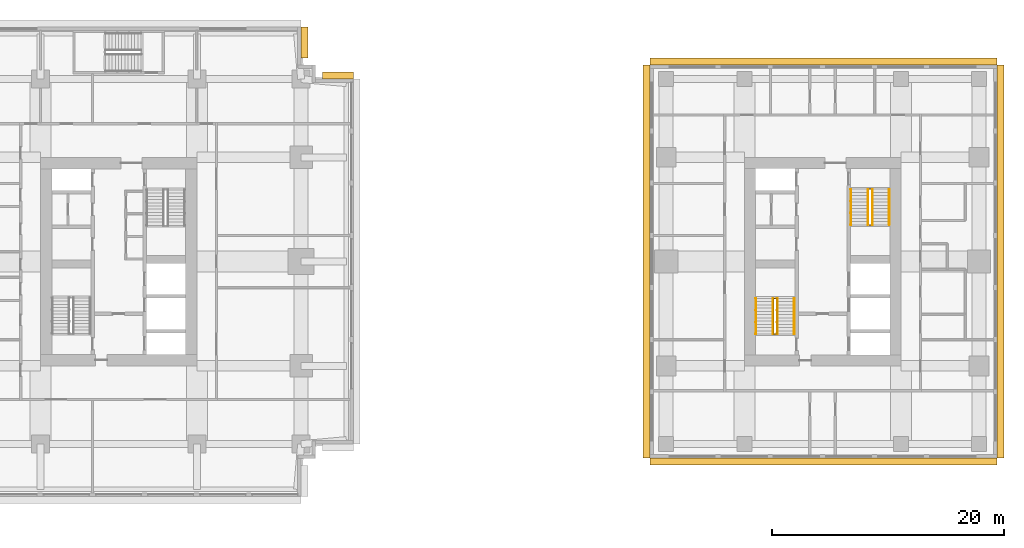
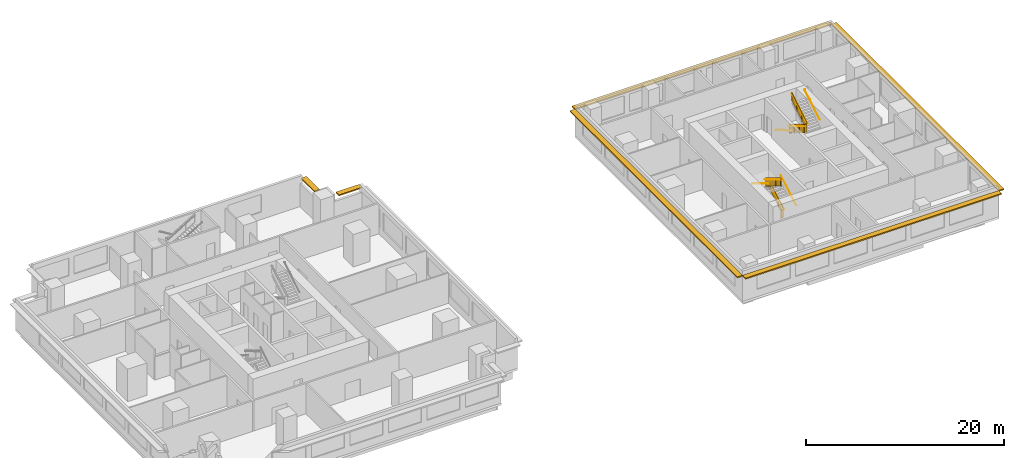
# One storey, part 11 of 11: 10 railings, 6 shading devices.
"""IFC4 building model written with IfcOpenShell, lengths in metres."""

import ifcopenshell
import ifcopenshell.guid

model = None  # the IFC model being written
_history = None  # IfcOwnerHistory: only IFC2X3 demands one
_inside = {}  # id of a spatial element -> (the spatial element, [elements in it])
_under = {}  # id of a project, library or spatial element -> (it, [spatial elements below it])
_declared = {}  # id of a project -> (the project, [libraries it declares])
_typed = {}  # id of a type object -> (the type object, [elements of that type])
_made_of = {}  # id of a material, layer set ... -> (it, [elements and type objects made of it])


def new_model(schema):
    """Start an empty IFC model of exactly this schema.

    Asked for "IFC4X3", IfcOpenShell would pick the latest addendum, in which some entities
    have other attributes; the version numbers below select the first issue.
    IFC2X3 requires an IfcOwnerHistory on every rooted entity: one is made here for all.
    """
    global model, _history
    if schema == "IFC4X3":
        model = ifcopenshell.file(schema_version=(4, 3, 0, 0))
    else:
        model = ifcopenshell.file(schema=schema)
    _inside.clear()
    _under.clear()
    _declared.clear()
    _typed.clear()
    _made_of.clear()
    _history = None
    if model.schema == "IFC2X3":
        org = make("IfcOrganization", Name="unknown")
        user = make(
            "IfcPersonAndOrganization",
            ThePerson=make("IfcPerson", FamilyName="unknown"),
            TheOrganization=org,
        )
        app = make(
            "IfcApplication",
            ApplicationDeveloper=org,
            Version="unknown",
            ApplicationFullName="unknown",
            ApplicationIdentifier="unknown",
        )
        _history = make(
            "IfcOwnerHistory",
            OwningUser=user,
            OwningApplication=app,
            ChangeAction="ADDED",
            CreationDate=0,
        )
    return model


def make(cls, **values):
    """One entity of the class cls with the attributes given. An attribute that is None is left unset."""
    return model.create_entity(
        cls, **{name: value for name, value in values.items() if value is not None}
    )


def rooted(cls, **values):
    """An entity with a GlobalId (a new one), such as an element, a storey or a relation."""
    return make(cls, GlobalId=ifcopenshell.guid.new(), OwnerHistory=_history, **values)


def si_unit(unit_type, name, prefix=None):
    """IfcSIUnit, for example si_unit("LENGTHUNIT", "METRE", prefix="MILLI")."""
    return make("IfcSIUnit", UnitType=unit_type, Prefix=prefix, Name=name)


def assignment(units):
    """IfcUnitAssignment: the units of a project."""
    return None if units is None else make("IfcUnitAssignment", Units=units)


def point(xyz):
    """IfcCartesianPoint."""
    return None if xyz is None else make("IfcCartesianPoint", Coordinates=xyz)


def direction(xyz):
    """IfcDirection."""
    return None if xyz is None else make("IfcDirection", DirectionRatios=xyz)


def frame(location, z_axis=None, x_axis=None):
    """IfcAxis2Placement3D, a coordinate frame: its origin and axes. An axis left out is left unset."""
    return make(
        "IfcAxis2Placement3D",
        Location=point(location),
        Axis=direction(z_axis),
        RefDirection=direction(x_axis),
    )


def frame_2d(location, x_axis=None):
    """IfcAxis2Placement2D, a coordinate frame in the plane: its origin and x axis."""
    return make(
        "IfcAxis2Placement2D", Location=point(location), RefDirection=direction(x_axis)
    )


def origin():
    """The frame at (0, 0, 0) with its axes left unset."""
    return frame((0.0, 0.0, 0.0))


def origin_2d():
    """The frame at (0, 0) in the plane with its x axis left unset."""
    return frame_2d((0.0, 0.0))


def place(relative_to, where):
    """IfcLocalPlacement: puts the frame where relative to a parent placement (None: the world)."""
    return make(
        "IfcLocalPlacement", PlacementRelTo=relative_to, RelativePlacement=where
    )


def context(
    kind, dimensions, precision=None, world=None, true_north=None, identifier=None
):
    """IfcGeometricRepresentationContext, for example the 3D "Model" context."""
    return make(
        "IfcGeometricRepresentationContext",
        ContextIdentifier=identifier,
        ContextType=kind,
        CoordinateSpaceDimension=dimensions,
        Precision=precision,
        WorldCoordinateSystem=world,
        TrueNorth=true_north,
    )


def subcontext(parent, identifier, kind, view, scale=None):
    """IfcGeometricRepresentationSubContext, for example "Body" below "Model"."""
    return make(
        "IfcGeometricRepresentationSubContext",
        ContextIdentifier=identifier,
        ContextType=kind,
        ParentContext=parent,
        TargetScale=scale,
        TargetView=view,
    )


def project(units=None, contexts=None):
    """IfcProject with its units and contexts."""
    return rooted(
        "IfcProject",
        Name="project",
        RepresentationContexts=contexts,
        UnitsInContext=assignment(units),
    )


def spatial(cls, under=None, at=None, **own):
    """A site, building, storey or space (cls), placed at a placement, below another one or the project."""
    s = rooted(cls, ObjectPlacement=at, **own)
    if under is not None:
        _under.setdefault(under.id(), (under, []))[1].append(s)
    return s


def polyline(points):
    """IfcPolyline through the points."""
    return make("IfcPolyline", Points=[point(p) for p in points])


def profile(cls, at=None, kind="AREA", **sizes):
    """A parametric profile (cls). Its sizes go by their IFC names, for example OverallWidth=200.0."""
    return make(cls, ProfileType=kind, Position=at, **sizes)


def rectangle(**sizes):
    """IfcRectangleProfileDef."""
    return profile("IfcRectangleProfileDef", **sizes)


def circle(**sizes):
    """IfcCircleProfileDef."""
    return profile("IfcCircleProfileDef", **sizes)


def outline(outer, holes=None, kind="AREA"):
    """IfcArbitraryClosedProfileDef: a profile drawn as a closed curve; with holes, ...WithVoids."""
    if holes is None:
        return make("IfcArbitraryClosedProfileDef", ProfileType=kind, OuterCurve=outer)
    return make(
        "IfcArbitraryProfileDefWithVoids",
        ProfileType=kind,
        OuterCurve=outer,
        InnerCurves=holes,
    )


def extrude(swept, where, along, depth):
    """IfcExtrudedAreaSolid: the profile swept, set in the frame where, extruded along a direction by depth."""
    return make(
        "IfcExtrudedAreaSolid",
        SweptArea=swept,
        Position=where,
        ExtrudedDirection=direction(along),
        Depth=depth,
    )


def shape(context_of_items, identifier, shape_type, items):
    """IfcShapeRepresentation: the items that make up one representation, for example the "Body"."""
    return make(
        "IfcShapeRepresentation",
        ContextOfItems=context_of_items,
        RepresentationIdentifier=identifier,
        RepresentationType=shape_type,
        Items=items,
    )


def material(Name=None, Category=None):
    """IfcMaterial."""
    return make("IfcMaterial", Name=Name, Category=Category)


def layer(
    of_material, thickness, ventilated=None, Name=None, Category=None, Priority=None
):
    """IfcMaterialLayer: one layer of a wall or slab, of a material (None: an air gap)."""
    return make(
        "IfcMaterialLayer",
        Material=of_material,
        LayerThickness=thickness,
        IsVentilated=ventilated,
        Name=Name,
        Category=Category,
        Priority=Priority,
    )


def layer_set(layers, Name=None):
    """IfcMaterialLayerSet."""
    return make("IfcMaterialLayerSet", MaterialLayers=layers, LayerSetName=Name)


def made_of(thing, what):
    """Note that an element or type object is made of a material, layer set ...; save() writes the relation."""
    if what is not None:
        _made_of.setdefault(what.id(), (what, []))[1].append(thing)
    return thing


def type_object(cls, material=None, **own):
    """A type object (cls), such as IfcWallType, which elements share."""
    return made_of(rooted(cls, **own), material)


def element(
    cls,
    number,
    at=None,
    inside=None,
    cuts=None,
    type_object=None,
    material=None,
    context=None,
    identifier="Body",
    shape_type=None,
    held_by="IfcProductDefinitionShape",
    body=None,
    shapes=None,
    **own,
):
    """One element of the class cls, such as IfcWall. Its Tag is "e" and its number.

    at: its placement. inside: the storey or other place that contains it. cuts: it is an
    opening in that element (IfcRelVoidsElement). A single representation is given by context,
    identifier, shape_type and body (its items); several are given by shapes. held_by: the class
    of the entity that holds the representations. save() writes the other relations.
    """
    e = rooted(cls, Tag="e%d" % number, ObjectPlacement=at, **own)
    if body is not None:
        shapes = [shape(context, identifier, shape_type, body)]
    if shapes is not None:
        e.Representation = make(held_by, Representations=shapes)
    if inside is not None:
        _inside.setdefault(inside.id(), (inside, []))[1].append(e)
    if cuts is not None:
        rooted(
            "IfcRelVoidsElement", RelatingBuildingElement=cuts, RelatedOpeningElement=e
        )
    if type_object is not None:
        _typed.setdefault(type_object.id(), (type_object, []))[1].append(e)
    return made_of(e, material)


def aggregate(whole, parts):
    """IfcRelAggregates: a whole, such as a stair, and the parts it consists of."""
    return rooted("IfcRelAggregates", RelatingObject=whole, RelatedObjects=parts)


def save(model, path):
    """Write the relations noted so far, then the file.

    IfcRelAggregates (storeys below a building ...), IfcRelContainedInSpatialStructure (elements
    in a storey), IfcRelDefinesByType, IfcRelAssociatesMaterial and IfcRelDeclares: one each for
    every whole, place, type object, material and project.
    """
    for whole, parts in _under.values():
        aggregate(whole, parts)
    for where, things in _inside.values():
        rooted(
            "IfcRelContainedInSpatialStructure",
            RelatedElements=things,
            RelatingStructure=where,
        )
    for kind, things in _typed.values():
        rooted("IfcRelDefinesByType", RelatedObjects=things, RelatingType=kind)
    for what, things in _made_of.values():
        rooted("IfcRelAssociatesMaterial", RelatedObjects=things, RelatingMaterial=what)
    for by, libraries in _declared.values():
        rooted("IfcRelDeclares", RelatingContext=by, RelatedDefinitions=libraries)
    model.write(path)


model = new_model("IFC4")

# Units and contexts
model_context = context("Model", 3, precision=1e-05, world=origin(), true_north=direction((0.0, 1.0)))
body_context = subcontext(model_context, "Body", "Model", "MODEL_VIEW")
ifc_project = project(units=[si_unit("LENGTHUNIT", "METRE"), si_unit("AREAUNIT", "SQUARE_METRE"), si_unit("VOLUMEUNIT", "CUBIC_METRE"), si_unit("PLANEANGLEUNIT", "RADIAN"), si_unit("MASSUNIT", "GRAM", prefix="KILO")], contexts=[model_context])

# Site, building, storey
site_placement = place(None, origin())
site = spatial("IfcSite", under=ifc_project, at=site_placement, CompositionType="ELEMENT")
building_placement = place(site_placement, origin())
building = spatial("IfcBuilding", under=site, at=building_placement, Name="Namib Vertical Campus", CompositionType="ELEMENT")
storey_placement = place(building_placement, frame((0.0, 0.0, 217.0)))
storey = spatial("IfcBuildingStorey", under=building, at=storey_placement, Name="L51", CompositionType="ELEMENT", Elevation=217.0)

# Railings
ifc_material_1 = material(Name="Steel handrail", Category="steel")
railing_type_1 = type_object("IfcRailingType", Name="Handrail 900", PredefinedType="HANDRAIL", material=ifc_material_1)
railing_1_placement = place(storey_placement, frame((78.550048828125, 14.0, 0.166748046875)))
element("IfcRailing", 1, at=railing_1_placement, inside=storey, type_object=railing_type_1, Name="Handrail HR1 B-S1 L51 1", PredefinedType="HANDRAIL", context=body_context, shape_type="SweptSolid", body=[
    extrude(circle(Radius=0.02392578125, at=origin_2d()), frame((0.0, 0.0, 0.8759765625), z_axis=(0.0, 0.859308565015, 0.511457515432), x_axis=(-1.0, 0.0, 0.0)), (0.0, 0.0, 1.0), 3.58447265625),
    extrude(circle(Radius=0.008056640625, at=origin_2d()), frame((0.0, 0.0, 0.8759765625), z_axis=(1.0, 0.0, 0.0), x_axis=(0.0, 0.0, 1.0)), (0.0, 0.0, 1.0), 0.050048828125),
    extrude(circle(Radius=0.008056640625, at=origin_2d()), frame((0.0, 1.026611328125, 1.48681640625), z_axis=(1.0, 0.0, 0.0), x_axis=(0.0, 0.0, 1.0)), (0.0, 0.0, 1.0), 0.050048828125),
    extrude(circle(Radius=0.008056640625, at=origin_2d()), frame((0.0, 2.053466796875, 2.09814453125), z_axis=(1.0, 0.0, 0.0), x_axis=(0.0, 0.0, 1.0)), (0.0, 0.0, 1.0), 0.050048828125),
    extrude(circle(Radius=0.008056640625, at=origin_2d()), frame((0.0, 3.080078125, 2.708984375), z_axis=(1.0, 0.0, 0.0), x_axis=(0.0, 0.0, 1.0)), (0.0, 0.0, 1.0), 0.050048828125),
])
railing_2_placement = place(storey_placement, frame((75.25, 17.080078125, 2.166748046875)))
element("IfcRailing", 2, at=railing_2_placement, inside=storey, type_object=railing_type_1, Name="Handrail HR1 B-S1 L51 2", PredefinedType="HANDRAIL", context=body_context, shape_type="SweptSolid", body=[
    extrude(circle(Radius=0.02392578125, at=origin_2d()), frame((0.0, 0.0, 0.8759765625), z_axis=(0.0, -0.859308565015, 0.511457515432), x_axis=(1.0, 0.0, 0.0)), (0.0, 0.0, 1.0), 3.58447265625),
    extrude(circle(Radius=0.008056640625, at=origin_2d()), frame((0.0, 0.0, 0.8759765625), z_axis=(-1.0, 0.0, 0.0), x_axis=(0.0, 0.0, 1.0)), (0.0, 0.0, 1.0), 0.050048828125),
    extrude(circle(Radius=0.008056640625, at=origin_2d()), frame((0.0, -1.026611328125, 1.48681640625), z_axis=(-1.0, 0.0, 0.0), x_axis=(0.0, 0.0, 1.0)), (0.0, 0.0, 1.0), 0.050048828125),
    extrude(circle(Radius=0.008056640625, at=origin_2d()), frame((0.0, -2.053466796875, 2.09814453125), z_axis=(-1.0, 0.0, 0.0), x_axis=(0.0, 0.0, 1.0)), (0.0, 0.0, 1.0), 0.050048828125),
    extrude(circle(Radius=0.008056640625, at=origin_2d()), frame((0.0, -3.080078125, 2.708984375), z_axis=(-1.0, 0.0, 0.0), x_axis=(0.0, 0.0, 1.0)), (0.0, 0.0, 1.0), 0.050048828125),
])
railing_3_placement = place(storey_placement, frame((77.10009765625, 14.0, 0.166748046875)))
element("IfcRailing", 3, at=railing_3_placement, inside=storey, type_object=railing_type_1, Name="Handrail HR1 B-S1 L51 1 at the well", PredefinedType="HANDRAIL", context=body_context, shape_type="SweptSolid", body=[
    extrude(circle(Radius=0.02392578125, at=origin_2d()), frame((0.0, 0.0, 0.8759765625), z_axis=(0.0, 0.859308565015, 0.511457515432), x_axis=(-1.0, 0.0, 0.0)), (0.0, 0.0, 1.0), 3.58447265625),
    extrude(circle(Radius=0.008056640625, at=origin_2d()), frame((0.0, 0.0, 0.8759765625), z_axis=(-1.0, 0.0, 0.0), x_axis=(0.0, 0.0, 1.0)), (0.0, 0.0, 1.0), 0.0400390625),
    extrude(circle(Radius=0.008056640625, at=origin_2d()), frame((0.0, 1.026611328125, 1.48681640625), z_axis=(-1.0, 0.0, 0.0), x_axis=(0.0, 0.0, 1.0)), (0.0, 0.0, 1.0), 0.0400390625),
    extrude(circle(Radius=0.008056640625, at=origin_2d()), frame((0.0, 2.053466796875, 2.09814453125), z_axis=(-1.0, 0.0, 0.0), x_axis=(0.0, 0.0, 1.0)), (0.0, 0.0, 1.0), 0.0400390625),
    extrude(circle(Radius=0.008056640625, at=origin_2d()), frame((0.0, 3.080078125, 2.708984375), z_axis=(-1.0, 0.0, 0.0), x_axis=(0.0, 0.0, 1.0)), (0.0, 0.0, 1.0), 0.0400390625),
])
railing_4_placement = place(storey_placement, frame((76.699951171875, 17.080078125, 2.166748046875)))
element("IfcRailing", 4, at=railing_4_placement, inside=storey, type_object=railing_type_1, Name="Handrail HR1 B-S1 L51 2 at the well", PredefinedType="HANDRAIL", context=body_context, shape_type="SweptSolid", body=[
    extrude(circle(Radius=0.02392578125, at=origin_2d()), frame((0.0, 0.0, 0.8759765625), z_axis=(0.0, -0.859308565015, 0.511457515432), x_axis=(1.0, 0.0, 0.0)), (0.0, 0.0, 1.0), 3.58447265625),
    extrude(circle(Radius=0.008056640625, at=origin_2d()), frame((0.0, 0.0, 0.8759765625), z_axis=(1.0, 0.0, 0.0), x_axis=(0.0, 0.0, 1.0)), (0.0, 0.0, 1.0), 0.0400390625),
    extrude(circle(Radius=0.008056640625, at=origin_2d()), frame((0.0, -1.026611328125, 1.48681640625), z_axis=(1.0, 0.0, 0.0), x_axis=(0.0, 0.0, 1.0)), (0.0, 0.0, 1.0), 0.0400390625),
    extrude(circle(Radius=0.008056640625, at=origin_2d()), frame((0.0, -2.053466796875, 2.09814453125), z_axis=(1.0, 0.0, 0.0), x_axis=(0.0, 0.0, 1.0)), (0.0, 0.0, 1.0), 0.0400390625),
    extrude(circle(Radius=0.008056640625, at=origin_2d()), frame((0.0, -3.080078125, 2.708984375), z_axis=(1.0, 0.0, 0.0), x_axis=(0.0, 0.0, 1.0)), (0.0, 0.0, 1.0), 0.0400390625),
])
railing_5_placement = place(storey_placement, frame((83.449951171875, 26.5, 0.166748046875)))
element("IfcRailing", 5, at=railing_5_placement, inside=storey, type_object=railing_type_1, Name="Handrail HR1 B-S2 L51 1", PredefinedType="HANDRAIL", context=body_context, shape_type="SweptSolid", body=[
    extrude(circle(Radius=0.02392578125, at=origin_2d()), frame((0.0, 0.0, 0.8759765625), z_axis=(0.0, -0.859308565015, 0.511457515432), x_axis=(1.0, 0.0, 0.0)), (0.0, 0.0, 1.0), 3.58447265625),
    extrude(circle(Radius=0.008056640625, at=origin_2d()), frame((0.0, 0.0, 0.8759765625), z_axis=(-1.0, 0.0, 0.0), x_axis=(0.0, 0.0, 1.0)), (0.0, 0.0, 1.0), 0.050048828125),
    extrude(circle(Radius=0.008056640625, at=origin_2d()), frame((0.0, -1.026611328125, 1.48681640625), z_axis=(-1.0, 0.0, 0.0), x_axis=(0.0, 0.0, 1.0)), (0.0, 0.0, 1.0), 0.050048828125),
    extrude(circle(Radius=0.008056640625, at=origin_2d()), frame((0.0, -2.053466796875, 2.09814453125), z_axis=(-1.0, 0.0, 0.0), x_axis=(0.0, 0.0, 1.0)), (0.0, 0.0, 1.0), 0.050048828125),
    extrude(circle(Radius=0.008056640625, at=origin_2d()), frame((0.0, -3.080078125, 2.708984375), z_axis=(-1.0, 0.0, 0.0), x_axis=(0.0, 0.0, 1.0)), (0.0, 0.0, 1.0), 0.050048828125),
])
railing_6_placement = place(storey_placement, frame((86.75, 23.419921875, 2.166748046875)))
element("IfcRailing", 6, at=railing_6_placement, inside=storey, type_object=railing_type_1, Name="Handrail HR1 B-S2 L51 2", PredefinedType="HANDRAIL", context=body_context, shape_type="SweptSolid", body=[
    extrude(circle(Radius=0.02392578125, at=origin_2d()), frame((0.0, 0.0, 0.8759765625), z_axis=(0.0, 0.859308565015, 0.511457515432), x_axis=(-1.0, 0.0, 0.0)), (0.0, 0.0, 1.0), 3.58447265625),
    extrude(circle(Radius=0.008056640625, at=origin_2d()), frame((0.0, 0.0, 0.8759765625), z_axis=(1.0, 0.0, 0.0), x_axis=(0.0, 0.0, 1.0)), (0.0, 0.0, 1.0), 0.050048828125),
    extrude(circle(Radius=0.008056640625, at=origin_2d()), frame((0.0, 1.026611328125, 1.48681640625), z_axis=(1.0, 0.0, 0.0), x_axis=(0.0, 0.0, 1.0)), (0.0, 0.0, 1.0), 0.050048828125),
    extrude(circle(Radius=0.008056640625, at=origin_2d()), frame((0.0, 2.053466796875, 2.09814453125), z_axis=(1.0, 0.0, 0.0), x_axis=(0.0, 0.0, 1.0)), (0.0, 0.0, 1.0), 0.050048828125),
    extrude(circle(Radius=0.008056640625, at=origin_2d()), frame((0.0, 3.080078125, 2.708984375), z_axis=(1.0, 0.0, 0.0), x_axis=(0.0, 0.0, 1.0)), (0.0, 0.0, 1.0), 0.050048828125),
])
railing_7_placement = place(storey_placement, frame((84.89990234375, 26.5, 0.166748046875)))
element("IfcRailing", 7, at=railing_7_placement, inside=storey, type_object=railing_type_1, Name="Handrail HR1 B-S2 L51 1 at the well", PredefinedType="HANDRAIL", context=body_context, shape_type="SweptSolid", body=[
    extrude(circle(Radius=0.02392578125, at=origin_2d()), frame((0.0, 0.0, 0.8759765625), z_axis=(0.0, -0.859308565015, 0.511457515432), x_axis=(1.0, 0.0, 0.0)), (0.0, 0.0, 1.0), 3.58447265625),
    extrude(circle(Radius=0.008056640625, at=origin_2d()), frame((0.0, 0.0, 0.8759765625), z_axis=(1.0, 0.0, 0.0), x_axis=(0.0, 0.0, 1.0)), (0.0, 0.0, 1.0), 0.0400390625),
    extrude(circle(Radius=0.008056640625, at=origin_2d()), frame((0.0, -1.026611328125, 1.48681640625), z_axis=(1.0, 0.0, 0.0), x_axis=(0.0, 0.0, 1.0)), (0.0, 0.0, 1.0), 0.0400390625),
    extrude(circle(Radius=0.008056640625, at=origin_2d()), frame((0.0, -2.053466796875, 2.09814453125), z_axis=(1.0, 0.0, 0.0), x_axis=(0.0, 0.0, 1.0)), (0.0, 0.0, 1.0), 0.0400390625),
    extrude(circle(Radius=0.008056640625, at=origin_2d()), frame((0.0, -3.080078125, 2.708984375), z_axis=(1.0, 0.0, 0.0), x_axis=(0.0, 0.0, 1.0)), (0.0, 0.0, 1.0), 0.0400390625),
])
railing_8_placement = place(storey_placement, frame((85.300048828125, 23.419921875, 2.166748046875)))
element("IfcRailing", 8, at=railing_8_placement, inside=storey, type_object=railing_type_1, Name="Handrail HR1 B-S2 L51 2 at the well", PredefinedType="HANDRAIL", context=body_context, shape_type="SweptSolid", body=[
    extrude(circle(Radius=0.02392578125, at=origin_2d()), frame((0.0, 0.0, 0.8759765625), z_axis=(0.0, 0.859308565015, 0.511457515432), x_axis=(-1.0, 0.0, 0.0)), (0.0, 0.0, 1.0), 3.58447265625),
    extrude(circle(Radius=0.008056640625, at=origin_2d()), frame((0.0, 0.0, 0.8759765625), z_axis=(-1.0, 0.0, 0.0), x_axis=(0.0, 0.0, 1.0)), (0.0, 0.0, 1.0), 0.0400390625),
    extrude(circle(Radius=0.008056640625, at=origin_2d()), frame((0.0, 1.026611328125, 1.48681640625), z_axis=(-1.0, 0.0, 0.0), x_axis=(0.0, 0.0, 1.0)), (0.0, 0.0, 1.0), 0.0400390625),
    extrude(circle(Radius=0.008056640625, at=origin_2d()), frame((0.0, 2.053466796875, 2.09814453125), z_axis=(-1.0, 0.0, 0.0), x_axis=(0.0, 0.0, 1.0)), (0.0, 0.0, 1.0), 0.0400390625),
    extrude(circle(Radius=0.008056640625, at=origin_2d()), frame((0.0, 3.080078125, 2.708984375), z_axis=(-1.0, 0.0, 0.0), x_axis=(0.0, 0.0, 1.0)), (0.0, 0.0, 1.0), 0.0400390625),
])
ifc_material_2 = material(Name="Steel balustrade", Category="steel")
railing_type_2 = type_object("IfcRailingType", Name="Stair guard 1100", PredefinedType="GUARDRAIL", material=ifc_material_2)
railing_9_placement = place(storey_placement, frame((76.75, 14.0, 0.0)))
element("IfcRailing", 9, at=railing_9_placement, inside=storey, type_object=railing_type_2, Name="Stair guard GR1 B-S1 L51", PredefinedType="GUARDRAIL", context=body_context, shape_type="SweptSolid", body=[
    extrude(circle(Radius=0.02392578125, at=origin_2d()), frame((0.0, 0.0, 1.076171875), z_axis=(1.0, 0.0, 0.0), x_axis=(0.0, 1.0, 0.0)), (0.0, 0.0, 1.0), 0.300048828125),
    extrude(outline(polyline([(0.02099609375, 0.050048828125), (0.279052734375, 0.050048828125), (0.279052734375, 1.052001953125), (0.02099609375, 1.052001953125), (0.02099609375, 0.050048828125)])), frame((0.0, 0.010009765625, 0.0), z_axis=(0.0, -1.0, 0.0), x_axis=(1.0, 0.0, 0.0)), (0.0, 0.0, 1.0), 0.02001953125),
    extrude(circle(Radius=0.02392578125, at=origin_2d()), frame((0.300048828125, 0.0, 1.076171875), z_axis=(0.0, 0.0, 1.0), x_axis=(1.0, 0.0, 0.0)), (0.0, 0.0, 1.0), 0.166748046875),
    extrude(circle(Radius=0.02392578125, at=origin_2d()), frame((0.300048828125, 0.0, 1.24267578125), z_axis=(0.0, 0.859308565015, 0.511457515432), x_axis=(-1.0, 0.0, 0.0)), (0.0, 0.0, 1.0), 3.58447265625),
    extrude(outline(polyline([(0.02099609375, 0.0625), (3.05908203125, 1.870849609375), (3.05908203125, 2.872802734375), (0.02099609375, 1.064453125), (0.02099609375, 0.0625)])), frame((0.2900390625, 0.0, 0.166748046875), z_axis=(1.0, 0.0, 0.0), x_axis=(0.0, 1.0, 0.0)), (0.0, 0.0, 1.0), 0.02001953125),
    extrude(circle(Radius=0.02392578125, at=origin_2d()), frame((0.300048828125, 3.080078125, 3.076171875), z_axis=(-1.0, 0.0, 0.0), x_axis=(0.0, -1.0, 0.0)), (0.0, 0.0, 1.0), 0.300048828125),
    extrude(outline(polyline([(0.02099609375, 0.050048828125), (0.279052734375, 0.050048828125), (0.279052734375, 1.052001953125), (0.02099609375, 1.052001953125), (0.02099609375, 0.050048828125)])), frame((0.300048828125, 3.070068359375, 2.0), z_axis=(0.0, 1.0, 0.0), x_axis=(-1.0, 0.0, 0.0)), (0.0, 0.0, 1.0), 0.02001953125),
    extrude(circle(Radius=0.02392578125, at=origin_2d()), frame((0.0, 3.080078125, 3.076171875), z_axis=(0.0, 0.0, 1.0), x_axis=(1.0, 0.0, 0.0)), (0.0, 0.0, 1.0), 0.166748046875),
    extrude(circle(Radius=0.02392578125, at=origin_2d()), frame((0.0, 3.080078125, 3.24267578125), z_axis=(0.0, -0.859308565015, 0.511457515432), x_axis=(1.0, 0.0, 0.0)), (0.0, 0.0, 1.0), 3.58447265625),
    extrude(outline(polyline([(0.02099609375, 0.0625), (3.05908203125, 1.870849609375), (3.05908203125, 2.872802734375), (0.02099609375, 1.064453125), (0.02099609375, 0.0625)])), frame((0.010009765625, 3.080078125, 2.166748046875), z_axis=(-1.0, 0.0, 0.0), x_axis=(0.0, -1.0, 0.0)), (0.0, 0.0, 1.0), 0.02001953125),
    extrude(circle(Radius=0.02392578125, at=origin_2d()), frame((0.0, 0.0, 5.076171875), z_axis=(0.0, -1.0, 0.0), x_axis=(1.0, 0.0, 0.0)), (0.0, 0.0, 1.0), 0.050048828125),
    extrude(outline(polyline([(0.02099609375, 0.050048828125), (0.029052734375, 0.050048828125), (0.029052734375, 1.052001953125), (0.02099609375, 1.052001953125), (0.02099609375, 0.050048828125)])), frame((0.010009765625, 0.0, 4.0), z_axis=(-1.0, 0.0, 0.0), x_axis=(0.0, -1.0, 0.0)), (0.0, 0.0, 1.0), 0.02001953125),
    extrude(circle(Radius=0.02099609375, at=origin_2d()), origin(), (0.0, 0.0, 1.0), 1.052001953125),
    extrude(circle(Radius=0.02099609375, at=origin_2d()), frame((0.300048828125, 0.0, 0.166748046875)), (0.0, 0.0, 1.0), 1.052001953125),
    extrude(circle(Radius=0.02099609375, at=origin_2d()), frame((0.300048828125, 1.026611328125, 0.666748046875)), (0.0, 0.0, 1.0), 1.1630859375),
    extrude(circle(Radius=0.02099609375, at=origin_2d()), frame((0.300048828125, 2.053466796875, 1.33349609375)), (0.0, 0.0, 1.0), 1.107421875),
    extrude(circle(Radius=0.02099609375, at=origin_2d()), frame((0.300048828125, 3.080078125, 2.0)), (0.0, 0.0, 1.0), 1.052001953125),
    extrude(circle(Radius=0.02099609375, at=origin_2d()), frame((0.0, 3.080078125, 2.166748046875)), (0.0, 0.0, 1.0), 1.052001953125),
    extrude(circle(Radius=0.02099609375, at=origin_2d()), frame((0.0, 2.053466796875, 2.666748046875)), (0.0, 0.0, 1.0), 1.1630859375),
    extrude(circle(Radius=0.02099609375, at=origin_2d()), frame((0.0, 1.026611328125, 3.33349609375)), (0.0, 0.0, 1.0), 1.107421875),
    extrude(circle(Radius=0.02099609375, at=origin_2d()), frame((0.0, 0.0, 4.0)), (0.0, 0.0, 1.0), 1.052001953125),
    extrude(circle(Radius=0.02099609375, at=origin_2d()), frame((0.0, -0.050048828125, 4.0)), (0.0, 0.0, 1.0), 1.052001953125),
])
railing_10_placement = place(storey_placement, frame((85.25, 26.5, 0.0)))
element("IfcRailing", 10, at=railing_10_placement, inside=storey, type_object=railing_type_2, Name="Stair guard GR1 B-S2 L51", PredefinedType="GUARDRAIL", context=body_context, shape_type="SweptSolid", body=[
    extrude(circle(Radius=0.02392578125, at=origin_2d()), frame((0.0, 0.0, 1.076171875), z_axis=(-1.0, 0.0, 0.0), x_axis=(0.0, -1.0, 0.0)), (0.0, 0.0, 1.0), 0.300048828125),
    extrude(outline(polyline([(0.02099609375, 0.050048828125), (0.279052734375, 0.050048828125), (0.279052734375, 1.052001953125), (0.02099609375, 1.052001953125), (0.02099609375, 0.050048828125)])), frame((0.0, -0.010009765625, 0.0), z_axis=(0.0, 1.0, 0.0), x_axis=(-1.0, 0.0, 0.0)), (0.0, 0.0, 1.0), 0.02001953125),
    extrude(circle(Radius=0.02392578125, at=origin_2d()), frame((-0.300048828125, 0.0, 1.076171875), z_axis=(0.0, 0.0, 1.0), x_axis=(1.0, 0.0, 0.0)), (0.0, 0.0, 1.0), 0.166748046875),
    extrude(circle(Radius=0.02392578125, at=origin_2d()), frame((-0.300048828125, 0.0, 1.24267578125), z_axis=(0.0, -0.859308565015, 0.511457515432), x_axis=(1.0, 0.0, 0.0)), (0.0, 0.0, 1.0), 3.58447265625),
    extrude(outline(polyline([(0.02099609375, 0.0625), (3.05908203125, 1.870849609375), (3.05908203125, 2.872802734375), (0.02099609375, 1.064453125), (0.02099609375, 0.0625)])), frame((-0.2900390625, 0.0, 0.166748046875), z_axis=(-1.0, 0.0, 0.0), x_axis=(0.0, -1.0, 0.0)), (0.0, 0.0, 1.0), 0.02001953125),
    extrude(circle(Radius=0.02392578125, at=origin_2d()), frame((-0.300048828125, -3.080078125, 3.076171875), z_axis=(1.0, 0.0, 0.0), x_axis=(0.0, 1.0, 0.0)), (0.0, 0.0, 1.0), 0.300048828125),
    extrude(outline(polyline([(0.02099609375, 0.050048828125), (0.279052734375, 0.050048828125), (0.279052734375, 1.052001953125), (0.02099609375, 1.052001953125), (0.02099609375, 0.050048828125)])), frame((-0.300048828125, -3.070068359375, 2.0), z_axis=(0.0, -1.0, 0.0), x_axis=(1.0, 0.0, 0.0)), (0.0, 0.0, 1.0), 0.02001953125),
    extrude(circle(Radius=0.02392578125, at=origin_2d()), frame((0.0, -3.080078125, 3.076171875), z_axis=(0.0, 0.0, 1.0), x_axis=(1.0, 0.0, 0.0)), (0.0, 0.0, 1.0), 0.166748046875),
    extrude(circle(Radius=0.02392578125, at=origin_2d()), frame((0.0, -3.080078125, 3.24267578125), z_axis=(0.0, 0.859308565015, 0.511457515432), x_axis=(-1.0, 0.0, 0.0)), (0.0, 0.0, 1.0), 3.58447265625),
    extrude(outline(polyline([(0.02099609375, 0.0625), (3.05908203125, 1.870849609375), (3.05908203125, 2.872802734375), (0.02099609375, 1.064453125), (0.02099609375, 0.0625)])), frame((-0.010009765625, -3.080078125, 2.166748046875), z_axis=(1.0, 0.0, 0.0), x_axis=(0.0, 1.0, 0.0)), (0.0, 0.0, 1.0), 0.02001953125),
    extrude(circle(Radius=0.02392578125, at=origin_2d()), frame((0.0, 0.0, 5.076171875), z_axis=(0.0, 1.0, 0.0), x_axis=(-1.0, 0.0, 0.0)), (0.0, 0.0, 1.0), 0.050048828125),
    extrude(outline(polyline([(0.02099609375, 0.050048828125), (0.029052734375, 0.050048828125), (0.029052734375, 1.052001953125), (0.02099609375, 1.052001953125), (0.02099609375, 0.050048828125)])), frame((-0.010009765625, 0.0, 4.0), z_axis=(1.0, 0.0, 0.0), x_axis=(0.0, 1.0, 0.0)), (0.0, 0.0, 1.0), 0.02001953125),
    extrude(circle(Radius=0.02099609375, at=origin_2d()), origin(), (0.0, 0.0, 1.0), 1.052001953125),
    extrude(circle(Radius=0.02099609375, at=origin_2d()), frame((-0.300048828125, 0.0, 0.166748046875)), (0.0, 0.0, 1.0), 1.052001953125),
    extrude(circle(Radius=0.02099609375, at=origin_2d()), frame((-0.300048828125, -1.026611328125, 0.666748046875)), (0.0, 0.0, 1.0), 1.1630859375),
    extrude(circle(Radius=0.02099609375, at=origin_2d()), frame((-0.300048828125, -2.053466796875, 1.33349609375)), (0.0, 0.0, 1.0), 1.107421875),
    extrude(circle(Radius=0.02099609375, at=origin_2d()), frame((-0.300048828125, -3.080078125, 2.0)), (0.0, 0.0, 1.0), 1.052001953125),
    extrude(circle(Radius=0.02099609375, at=origin_2d()), frame((0.0, -3.080078125, 2.166748046875)), (0.0, 0.0, 1.0), 1.052001953125),
    extrude(circle(Radius=0.02099609375, at=origin_2d()), frame((0.0, -2.053466796875, 2.666748046875)), (0.0, 0.0, 1.0), 1.1630859375),
    extrude(circle(Radius=0.02099609375, at=origin_2d()), frame((0.0, -1.026611328125, 3.33349609375)), (0.0, 0.0, 1.0), 1.107421875),
    extrude(circle(Radius=0.02099609375, at=origin_2d()), frame((0.0, 0.0, 4.0)), (0.0, 0.0, 1.0), 1.052001953125),
    extrude(circle(Radius=0.02099609375, at=origin_2d()), frame((0.0, 0.050048828125, 4.0)), (0.0, 0.0, 1.0), 1.052001953125),
])

# Shading devices
ifc_material_3 = material(Name="Concrete C40/50 precast", Category="concrete")
ifc_layer = layer(ifc_material_3, 0.14990234375)
ifc_layer_set = layer_set([ifc_layer], Name="Concrete C40/50 precast")
shading_device_type = type_object("IfcShadingDeviceType", Name="Sunshade hood 600", PredefinedType="SHUTTER", material=ifc_layer_set)
for number, where, z_axis, x_axis, name in (
    (11, (39.16259765625, 36.300048828125, 3.10009765625), (0.0, 0.0, 1.0), (-1.0, 0.0, 0.0), "Sunshade SH3 L51 7"),
    (12, (36.300048828125, 39.16259765625, 3.10009765625), (0.0, 0.0, 1.0), (0.0, 1.0, 0.0), "Sunshade SH3 L51 10"),
):
    element("IfcShadingDevice", number, at=place(storey_placement, frame(where, z_axis=z_axis, x_axis=x_axis)), inside=storey, type_object=shading_device_type, Name=name, PredefinedType="SHUTTER", context=body_context, shape_type="SweptSolid", body=[
        extrude(rectangle(XDim=2.675048828125, YDim=0.60009765625, at=origin_2d()), origin(), (0.0, 0.0, 1.0), 0.14990234375),
    ])
shading_device_1_placement = place(storey_placement, frame((81.074951171875, 3.0, 3.10009765625), z_axis=(0.0, 0.0, 1.0), x_axis=(1.0, 0.0, 0.0)))
element("IfcShadingDevice", 13, at=shading_device_1_placement, inside=storey, type_object=shading_device_type, Name="Sunshade SH3 L51 1", PredefinedType="SHUTTER", context=body_context, shape_type="SweptSolid", body=[
    extrude(rectangle(XDim=29.949951171875, YDim=0.60009765625, at=origin_2d()), origin(), (0.0, 0.0, 1.0), 0.14990234375),
])
shading_device_2_placement = place(storey_placement, frame((96.35009765625, 20.25, 3.10009765625), z_axis=(0.0, 0.0, 1.0), x_axis=(0.0, 1.0, 0.0)))
element("IfcShadingDevice", 14, at=shading_device_2_placement, inside=storey, type_object=shading_device_type, Name="Sunshade SH3 L51 2", PredefinedType="SHUTTER", context=body_context, shape_type="SweptSolid", body=[
    extrude(rectangle(XDim=33.89990234375, YDim=0.60009765625, at=origin_2d()), origin(), (0.0, 0.0, 1.0), 0.14990234375),
])
shading_device_3_placement = place(storey_placement, frame((81.074951171875, 37.5, 3.10009765625), z_axis=(0.0, 0.0, 1.0), x_axis=(-1.0, 0.0, 0.0)))
element("IfcShadingDevice", 15, at=shading_device_3_placement, inside=storey, type_object=shading_device_type, Name="Sunshade SH3 L51 3", PredefinedType="SHUTTER", context=body_context, shape_type="SweptSolid", body=[
    extrude(rectangle(XDim=29.949951171875, YDim=0.60009765625, at=origin_2d()), origin(), (0.0, 0.0, 1.0), 0.14990234375),
])
shading_device_4_placement = place(storey_placement, frame((65.800048828125, 20.25, 3.10009765625), z_axis=(0.0, 0.0, 1.0), x_axis=(0.0, -1.0, 0.0)))
element("IfcShadingDevice", 16, at=shading_device_4_placement, inside=storey, type_object=shading_device_type, Name="Sunshade SH3 L51 4", PredefinedType="SHUTTER", context=body_context, shape_type="SweptSolid", body=[
    extrude(rectangle(XDim=33.89990234375, YDim=0.60009765625, at=origin_2d()), origin(), (0.0, 0.0, 1.0), 0.14990234375),
])

save(model, "model.ifc")
